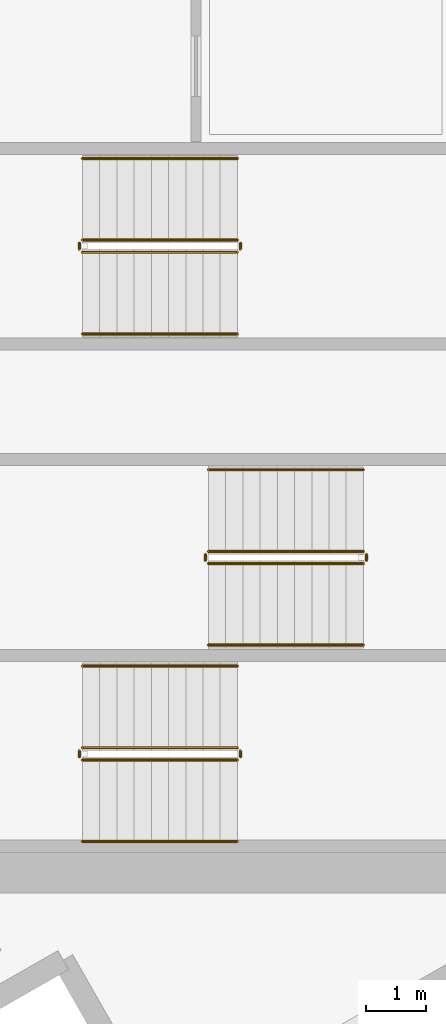
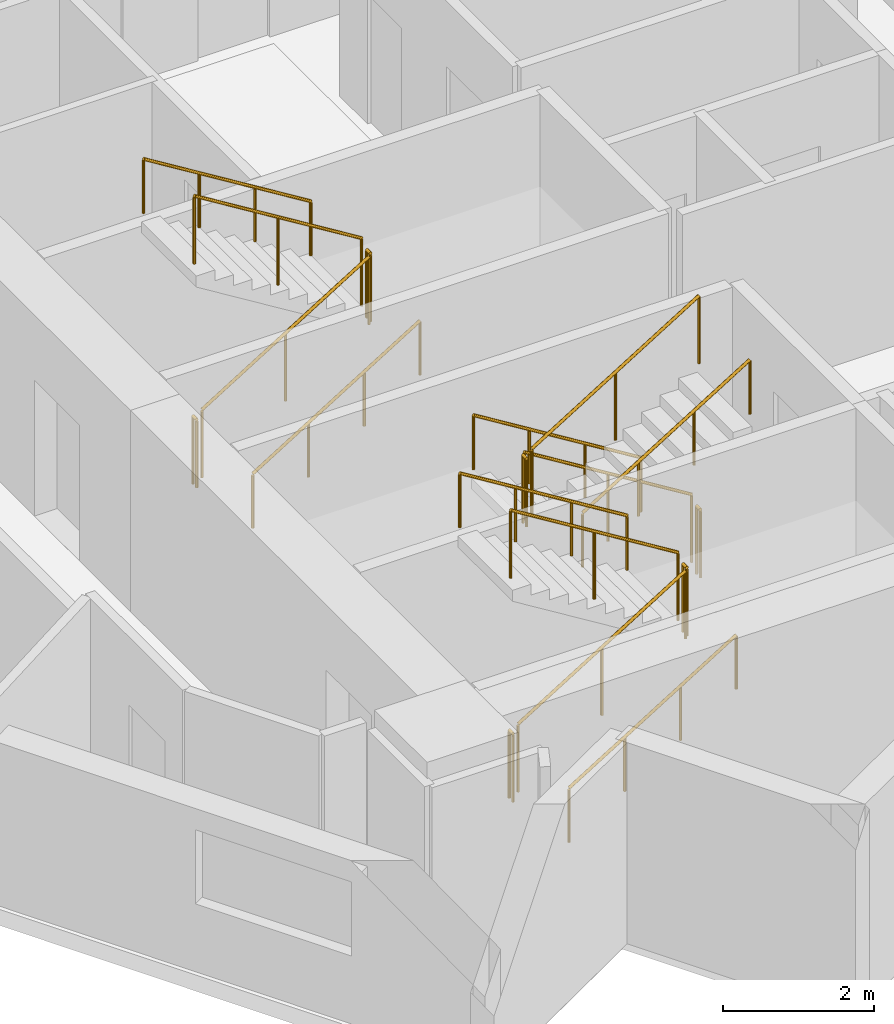
# One storey, part 13 of 14: 18 railings.
"""IFC4 building model written with IfcOpenShell, lengths in metres."""

from ifc_helpers import new_model, si_unit, direction, frame, origin, origin_2d, place, context, subcontext, project, spatial, circle, extrude, material, type_object, element, save


model = new_model("IFC4")

# Units and contexts
model_context = context("Model", 3, precision=1e-05, world=origin(), true_north=direction((0.0, 1.0)))
body_context = subcontext(model_context, "Body", "Model", "MODEL_VIEW")
ifc_project = project(units=[si_unit("LENGTHUNIT", "METRE"), si_unit("AREAUNIT", "SQUARE_METRE"), si_unit("VOLUMEUNIT", "CUBIC_METRE"), si_unit("PLANEANGLEUNIT", "RADIAN"), si_unit("MASSUNIT", "GRAM", prefix="KILO")], contexts=[model_context])

# Site, building, storey
site_placement = place(None, origin())
site = spatial("IfcSite", under=ifc_project, at=site_placement, CompositionType="ELEMENT")
building_placement = place(site_placement, origin())
building = spatial("IfcBuilding", under=site, at=building_placement, Name="Narakoshi Arena Tower", CompositionType="ELEMENT")
storey_placement = place(building_placement, frame((0.0, 0.0, 204.419921875)))
storey = spatial("IfcBuildingStorey", under=building, at=storey_placement, Name="L55", CompositionType="ELEMENT", Elevation=204.419921875)

# Railings
ifc_material_1 = material(Name="Clear low-iron laminated structural glass", Category="glass")
railing_type_1 = type_object("IfcRailingType", Name="RL-BAL-1100", PredefinedType="BALUSTRADE", material=ifc_material_1)
railing_1_placement = place(storey_placement, frame((74.39990234375, 36.949951171875, 0.176025390625)))
element("IfcRailing", 1, at=railing_1_placement, inside=storey, type_object=railing_type_1, Name="L55 ST1 stair guard 1", PredefinedType="BALUSTRADE", context=body_context, shape_type="SweptSolid", body=[
    extrude(circle(Radius=0.02392578125, at=origin_2d()), frame((0.0, 0.0, 1.09619140625), z_axis=(0.850856559306, 0.0, 0.525398054323), x_axis=(0.0, 1.0, 0.0)), (0.0, 0.0, 1.0), 3.014892578125),
    extrude(circle(Radius=0.02099609375, at=origin_2d()), origin(), (0.0, 0.0, 1.0), 1.072021484375),
    extrude(circle(Radius=0.02099609375, at=origin_2d()), frame((1.28271484375, 0.0, 0.7919921875)), (0.0, 0.0, 1.0), 1.072021484375),
    extrude(circle(Radius=0.02099609375, at=origin_2d()), frame((2.565185546875, 0.0, 1.583984375)), (0.0, 0.0, 1.0), 1.072021484375),
])
railing_2_placement = place(storey_placement, frame((77.014892578125, 37.0, 1.760009765625)))
element("IfcRailing", 2, at=railing_2_placement, inside=storey, type_object=railing_type_1, Name="L55 ST1 stair guard 2", PredefinedType="BALUSTRADE", context=body_context, shape_type="SweptSolid", body=[
    extrude(circle(Radius=0.02392578125, at=origin_2d()), frame((0.0, 0.0, 1.09619140625), z_axis=(0.0, 1.0, 0.0), x_axis=(-1.0, 0.0, 0.0)), (0.0, 0.0, 1.0), 0.10009765625),
    extrude(circle(Radius=0.02099609375, at=origin_2d()), origin(), (0.0, 0.0, 1.0), 1.072021484375),
    extrude(circle(Radius=0.02099609375, at=origin_2d()), frame((0.0, 0.10009765625, 0.0)), (0.0, 0.0, 1.0), 1.072021484375),
])
railing_3_placement = place(storey_placement, frame((76.965087890625, 37.14990234375, 1.93603515625)))
element("IfcRailing", 3, at=railing_3_placement, inside=storey, type_object=railing_type_1, Name="L55 ST1 stair guard 3", PredefinedType="BALUSTRADE", context=body_context, shape_type="SweptSolid", body=[
    extrude(circle(Radius=0.02392578125, at=origin_2d()), frame((0.0, 0.0, 1.09619140625), z_axis=(-0.850856559306, 0.0, 0.525398054323), x_axis=(0.0, -1.0, 0.0)), (0.0, 0.0, 1.0), 3.014892578125),
    extrude(circle(Radius=0.02099609375, at=origin_2d()), origin(), (0.0, 0.0, 1.0), 1.072021484375),
    extrude(circle(Radius=0.02099609375, at=origin_2d()), frame((-1.28271484375, 0.0, 0.7919921875)), (0.0, 0.0, 1.0), 1.072021484375),
    extrude(circle(Radius=0.02099609375, at=origin_2d()), frame((-2.565185546875, 0.0, 1.583984375)), (0.0, 0.0, 1.0), 1.072021484375),
])
railing_4_placement = place(storey_placement, frame((74.35009765625, 37.0, 0.0)))
element("IfcRailing", 4, at=railing_4_placement, inside=storey, type_object=railing_type_1, Name="L55 ST1 stair guard 4", PredefinedType="BALUSTRADE", context=body_context, shape_type="SweptSolid", body=[
    extrude(circle(Radius=0.02392578125, at=origin_2d()), frame((0.0, 0.0, 1.09619140625), z_axis=(0.0, 1.0, 0.0), x_axis=(-1.0, 0.0, 0.0)), (0.0, 0.0, 1.0), 0.10009765625),
    extrude(circle(Radius=0.02099609375, at=origin_2d()), origin(), (0.0, 0.0, 1.0), 1.072021484375),
    extrude(circle(Radius=0.02099609375, at=origin_2d()), frame((0.0, 0.10009765625, 0.0)), (0.0, 0.0, 1.0), 1.072021484375),
])
railing_5_placement = place(storey_placement, frame((79.050048828125, 40.39990234375, 0.176025390625)))
element("IfcRailing", 5, at=railing_5_placement, inside=storey, type_object=railing_type_1, Name="L55 ST2 stair guard 1", PredefinedType="BALUSTRADE", context=body_context, shape_type="SweptSolid", body=[
    extrude(circle(Radius=0.02392578125, at=origin_2d()), frame((0.0, 0.0, 1.09619140625), z_axis=(-0.850834203031, 0.0, 0.525434257497), x_axis=(0.0, -1.0, 0.0)), (0.0, 0.0, 1.0), 3.0146484375),
    extrude(circle(Radius=0.02099609375, at=origin_2d()), origin(), (0.0, 0.0, 1.0), 1.072021484375),
    extrude(circle(Radius=0.02099609375, at=origin_2d()), frame((-1.282470703125, 0.0, 0.7919921875)), (0.0, 0.0, 1.0), 1.072021484375),
    extrude(circle(Radius=0.02099609375, at=origin_2d()), frame((-2.56494140625, 0.0, 1.583984375)), (0.0, 0.0, 1.0), 1.072021484375),
])
railing_6_placement = place(storey_placement, frame((76.43505859375, 40.35009765625, 1.760009765625)))
element("IfcRailing", 6, at=railing_6_placement, inside=storey, type_object=railing_type_1, Name="L55 ST2 stair guard 2", PredefinedType="BALUSTRADE", context=body_context, shape_type="SweptSolid", body=[
    extrude(circle(Radius=0.02392578125, at=origin_2d()), frame((0.0, 0.0, 1.09619140625), z_axis=(0.0, -1.0, 0.0), x_axis=(1.0, 0.0, 0.0)), (0.0, 0.0, 1.0), 0.10009765625),
    extrude(circle(Radius=0.02099609375, at=origin_2d()), origin(), (0.0, 0.0, 1.0), 1.072021484375),
    extrude(circle(Radius=0.02099609375, at=origin_2d()), frame((0.0, -0.10009765625, 0.0)), (0.0, 0.0, 1.0), 1.072021484375),
])
railing_7_placement = place(storey_placement, frame((76.485107421875, 40.199951171875, 1.93603515625)))
element("IfcRailing", 7, at=railing_7_placement, inside=storey, type_object=railing_type_1, Name="L55 ST2 stair guard 3", PredefinedType="BALUSTRADE", context=body_context, shape_type="SweptSolid", body=[
    extrude(circle(Radius=0.02392578125, at=origin_2d()), frame((0.0, 0.0, 1.09619140625), z_axis=(0.850834203031, 0.0, 0.525434257497), x_axis=(0.0, 1.0, 0.0)), (0.0, 0.0, 1.0), 3.0146484375),
    extrude(circle(Radius=0.02099609375, at=origin_2d()), origin(), (0.0, 0.0, 1.0), 1.072021484375),
    extrude(circle(Radius=0.02099609375, at=origin_2d()), frame((1.282470703125, 0.0, 0.7919921875)), (0.0, 0.0, 1.0), 1.072021484375),
    extrude(circle(Radius=0.02099609375, at=origin_2d()), frame((2.56494140625, 0.0, 1.583984375)), (0.0, 0.0, 1.0), 1.072021484375),
])
railing_8_placement = place(storey_placement, frame((79.10009765625, 40.35009765625, 0.0)))
element("IfcRailing", 8, at=railing_8_placement, inside=storey, type_object=railing_type_1, Name="L55 ST2 stair guard 4", PredefinedType="BALUSTRADE", context=body_context, shape_type="SweptSolid", body=[
    extrude(circle(Radius=0.02392578125, at=origin_2d()), frame((0.0, 0.0, 1.09619140625), z_axis=(0.0, -1.0, 0.0), x_axis=(1.0, 0.0, 0.0)), (0.0, 0.0, 1.0), 0.10009765625),
    extrude(circle(Radius=0.02099609375, at=origin_2d()), origin(), (0.0, 0.0, 1.0), 1.072021484375),
    extrude(circle(Radius=0.02099609375, at=origin_2d()), frame((0.0, -0.10009765625, 0.0)), (0.0, 0.0, 1.0), 1.072021484375),
])
railing_9_placement = place(storey_placement, frame((74.39990234375, 45.35009765625, 0.176025390625)))
element("IfcRailing", 9, at=railing_9_placement, inside=storey, type_object=railing_type_1, Name="L55 ST3 stair guard 1", PredefinedType="BALUSTRADE", context=body_context, shape_type="SweptSolid", body=[
    extrude(circle(Radius=0.02392578125, at=origin_2d()), frame((0.0, 0.0, 1.09619140625), z_axis=(0.850856559306, 0.0, 0.525398054323), x_axis=(0.0, 1.0, 0.0)), (0.0, 0.0, 1.0), 3.014892578125),
    extrude(circle(Radius=0.02099609375, at=origin_2d()), origin(), (0.0, 0.0, 1.0), 1.072021484375),
    extrude(circle(Radius=0.02099609375, at=origin_2d()), frame((1.28271484375, 0.0, 0.7919921875)), (0.0, 0.0, 1.0), 1.072021484375),
    extrude(circle(Radius=0.02099609375, at=origin_2d()), frame((2.565185546875, 0.0, 1.583984375)), (0.0, 0.0, 1.0), 1.072021484375),
])
railing_10_placement = place(storey_placement, frame((77.014892578125, 45.39990234375, 1.760009765625)))
element("IfcRailing", 10, at=railing_10_placement, inside=storey, type_object=railing_type_1, Name="L55 ST3 stair guard 2", PredefinedType="BALUSTRADE", context=body_context, shape_type="SweptSolid", body=[
    extrude(circle(Radius=0.02392578125, at=origin_2d()), frame((0.0, 0.0, 1.09619140625), z_axis=(0.0, 1.0, 0.0), x_axis=(-1.0, 0.0, 0.0)), (0.0, 0.0, 1.0), 0.10009765625),
    extrude(circle(Radius=0.02099609375, at=origin_2d()), origin(), (0.0, 0.0, 1.0), 1.072021484375),
    extrude(circle(Radius=0.02099609375, at=origin_2d()), frame((0.0, 0.10009765625, 0.0)), (0.0, 0.0, 1.0), 1.072021484375),
])
railing_11_placement = place(storey_placement, frame((76.965087890625, 45.550048828125, 1.93603515625)))
element("IfcRailing", 11, at=railing_11_placement, inside=storey, type_object=railing_type_1, Name="L55 ST3 stair guard 3", PredefinedType="BALUSTRADE", context=body_context, shape_type="SweptSolid", body=[
    extrude(circle(Radius=0.02392578125, at=origin_2d()), frame((0.0, 0.0, 1.09619140625), z_axis=(-0.850856559306, 0.0, 0.525398054323), x_axis=(0.0, -1.0, 0.0)), (0.0, 0.0, 1.0), 3.014892578125),
    extrude(circle(Radius=0.02099609375, at=origin_2d()), origin(), (0.0, 0.0, 1.0), 1.072021484375),
    extrude(circle(Radius=0.02099609375, at=origin_2d()), frame((-1.28271484375, 0.0, 0.7919921875)), (0.0, 0.0, 1.0), 1.072021484375),
    extrude(circle(Radius=0.02099609375, at=origin_2d()), frame((-2.565185546875, 0.0, 1.583984375)), (0.0, 0.0, 1.0), 1.072021484375),
])
railing_12_placement = place(storey_placement, frame((74.35009765625, 45.39990234375, 0.0)))
element("IfcRailing", 12, at=railing_12_placement, inside=storey, type_object=railing_type_1, Name="L55 ST3 stair guard 4", PredefinedType="BALUSTRADE", context=body_context, shape_type="SweptSolid", body=[
    extrude(circle(Radius=0.02392578125, at=origin_2d()), frame((0.0, 0.0, 1.09619140625), z_axis=(0.0, 1.0, 0.0), x_axis=(-1.0, 0.0, 0.0)), (0.0, 0.0, 1.0), 0.10009765625),
    extrude(circle(Radius=0.02099609375, at=origin_2d()), origin(), (0.0, 0.0, 1.0), 1.072021484375),
    extrude(circle(Radius=0.02099609375, at=origin_2d()), frame((0.0, 0.10009765625, 0.0)), (0.0, 0.0, 1.0), 1.072021484375),
])
ifc_material_2 = material(Name="Brushed bronze stainless steel", Category="steel")
railing_type_2 = type_object("IfcRailingType", Name="RL-HND-900", PredefinedType="HANDRAIL", material=ifc_material_2)
railing_13_placement = place(storey_placement, frame((74.39990234375, 35.60009765625, 0.176025390625)))
element("IfcRailing", 13, at=railing_13_placement, inside=storey, type_object=railing_type_2, Name="L55 ST1 stair handrail 1", PredefinedType="HANDRAIL", context=body_context, shape_type="SweptSolid", body=[
    extrude(circle(Radius=0.02392578125, at=origin_2d()), frame((0.0, 0.0, 0.8759765625), z_axis=(0.850856559306, 0.0, 0.525398054323), x_axis=(0.0, 1.0, 0.0)), (0.0, 0.0, 1.0), 3.014892578125),
    extrude(circle(Radius=0.02099609375, at=origin_2d()), origin(), (0.0, 0.0, 1.0), 0.851806640625),
    extrude(circle(Radius=0.02099609375, at=origin_2d()), frame((0.85498046875, 0.0, 0.528076171875)), (0.0, 0.0, 1.0), 0.851806640625),
    extrude(circle(Radius=0.02099609375, at=origin_2d()), frame((1.710205078125, 0.0, 1.055908203125)), (0.0, 0.0, 1.0), 0.851806640625),
    extrude(circle(Radius=0.02099609375, at=origin_2d()), frame((2.565185546875, 0.0, 1.583984375)), (0.0, 0.0, 1.0), 0.851806640625),
])
railing_14_placement = place(storey_placement, frame((76.965087890625, 38.5, 1.93603515625)))
element("IfcRailing", 14, at=railing_14_placement, inside=storey, type_object=railing_type_2, Name="L55 ST1 stair handrail 2", PredefinedType="HANDRAIL", context=body_context, shape_type="SweptSolid", body=[
    extrude(circle(Radius=0.02392578125, at=origin_2d()), frame((0.0, 0.0, 0.8759765625), z_axis=(-0.850856559306, 0.0, 0.525398054323), x_axis=(0.0, -1.0, 0.0)), (0.0, 0.0, 1.0), 3.014892578125),
    extrude(circle(Radius=0.02099609375, at=origin_2d()), origin(), (0.0, 0.0, 1.0), 0.851806640625),
    extrude(circle(Radius=0.02099609375, at=origin_2d()), frame((-0.85498046875, 0.0, 0.528076171875)), (0.0, 0.0, 1.0), 0.851806640625),
    extrude(circle(Radius=0.02099609375, at=origin_2d()), frame((-1.710205078125, 0.0, 1.055908203125)), (0.0, 0.0, 1.0), 0.851806640625),
    extrude(circle(Radius=0.02099609375, at=origin_2d()), frame((-2.565185546875, 0.0, 1.583984375)), (0.0, 0.0, 1.0), 0.851806640625),
])
railing_15_placement = place(storey_placement, frame((79.050048828125, 41.75, 0.176025390625)))
element("IfcRailing", 15, at=railing_15_placement, inside=storey, type_object=railing_type_2, Name="L55 ST2 stair handrail 1", PredefinedType="HANDRAIL", context=body_context, shape_type="SweptSolid", body=[
    extrude(circle(Radius=0.02392578125, at=origin_2d()), frame((0.0, 0.0, 0.8759765625), z_axis=(-0.850834203031, 0.0, 0.525434257497), x_axis=(0.0, -1.0, 0.0)), (0.0, 0.0, 1.0), 3.0146484375),
    extrude(circle(Radius=0.02099609375, at=origin_2d()), origin(), (0.0, 0.0, 1.0), 0.851806640625),
    extrude(circle(Radius=0.02099609375, at=origin_2d()), frame((-0.85498046875, 0.0, 0.528076171875)), (0.0, 0.0, 1.0), 0.851806640625),
    extrude(circle(Radius=0.02099609375, at=origin_2d()), frame((-1.7099609375, 0.0, 1.055908203125)), (0.0, 0.0, 1.0), 0.851806640625),
    extrude(circle(Radius=0.02099609375, at=origin_2d()), frame((-2.56494140625, 0.0, 1.583984375)), (0.0, 0.0, 1.0), 0.851806640625),
])
railing_16_placement = place(storey_placement, frame((76.485107421875, 38.85009765625, 1.93603515625)))
element("IfcRailing", 16, at=railing_16_placement, inside=storey, type_object=railing_type_2, Name="L55 ST2 stair handrail 2", PredefinedType="HANDRAIL", context=body_context, shape_type="SweptSolid", body=[
    extrude(circle(Radius=0.02392578125, at=origin_2d()), frame((0.0, 0.0, 0.8759765625), z_axis=(0.850834203031, 0.0, 0.525434257497), x_axis=(0.0, 1.0, 0.0)), (0.0, 0.0, 1.0), 3.0146484375),
    extrude(circle(Radius=0.02099609375, at=origin_2d()), origin(), (0.0, 0.0, 1.0), 0.851806640625),
    extrude(circle(Radius=0.02099609375, at=origin_2d()), frame((0.85498046875, 0.0, 0.528076171875)), (0.0, 0.0, 1.0), 0.851806640625),
    extrude(circle(Radius=0.02099609375, at=origin_2d()), frame((1.7099609375, 0.0, 1.055908203125)), (0.0, 0.0, 1.0), 0.851806640625),
    extrude(circle(Radius=0.02099609375, at=origin_2d()), frame((2.56494140625, 0.0, 1.583984375)), (0.0, 0.0, 1.0), 0.851806640625),
])
railing_17_placement = place(storey_placement, frame((74.39990234375, 44.0, 0.176025390625)))
element("IfcRailing", 17, at=railing_17_placement, inside=storey, type_object=railing_type_2, Name="L55 ST3 stair handrail 1", PredefinedType="HANDRAIL", context=body_context, shape_type="SweptSolid", body=[
    extrude(circle(Radius=0.02392578125, at=origin_2d()), frame((0.0, 0.0, 0.8759765625), z_axis=(0.850856559306, 0.0, 0.525398054323), x_axis=(0.0, 1.0, 0.0)), (0.0, 0.0, 1.0), 3.014892578125),
    extrude(circle(Radius=0.02099609375, at=origin_2d()), origin(), (0.0, 0.0, 1.0), 0.851806640625),
    extrude(circle(Radius=0.02099609375, at=origin_2d()), frame((0.85498046875, 0.0, 0.528076171875)), (0.0, 0.0, 1.0), 0.851806640625),
    extrude(circle(Radius=0.02099609375, at=origin_2d()), frame((1.710205078125, 0.0, 1.055908203125)), (0.0, 0.0, 1.0), 0.851806640625),
    extrude(circle(Radius=0.02099609375, at=origin_2d()), frame((2.565185546875, 0.0, 1.583984375)), (0.0, 0.0, 1.0), 0.851806640625),
])
railing_18_placement = place(storey_placement, frame((76.965087890625, 46.89990234375, 1.93603515625)))
element("IfcRailing", 18, at=railing_18_placement, inside=storey, type_object=railing_type_2, Name="L55 ST3 stair handrail 2", PredefinedType="HANDRAIL", context=body_context, shape_type="SweptSolid", body=[
    extrude(circle(Radius=0.02392578125, at=origin_2d()), frame((0.0, 0.0, 0.8759765625), z_axis=(-0.850856559306, 0.0, 0.525398054323), x_axis=(0.0, -1.0, 0.0)), (0.0, 0.0, 1.0), 3.014892578125),
    extrude(circle(Radius=0.02099609375, at=origin_2d()), origin(), (0.0, 0.0, 1.0), 0.851806640625),
    extrude(circle(Radius=0.02099609375, at=origin_2d()), frame((-0.85498046875, 0.0, 0.528076171875)), (0.0, 0.0, 1.0), 0.851806640625),
    extrude(circle(Radius=0.02099609375, at=origin_2d()), frame((-1.710205078125, 0.0, 1.055908203125)), (0.0, 0.0, 1.0), 0.851806640625),
    extrude(circle(Radius=0.02099609375, at=origin_2d()), frame((-2.565185546875, 0.0, 1.583984375)), (0.0, 0.0, 1.0), 0.851806640625),
])

save(model, "model.ifc")
